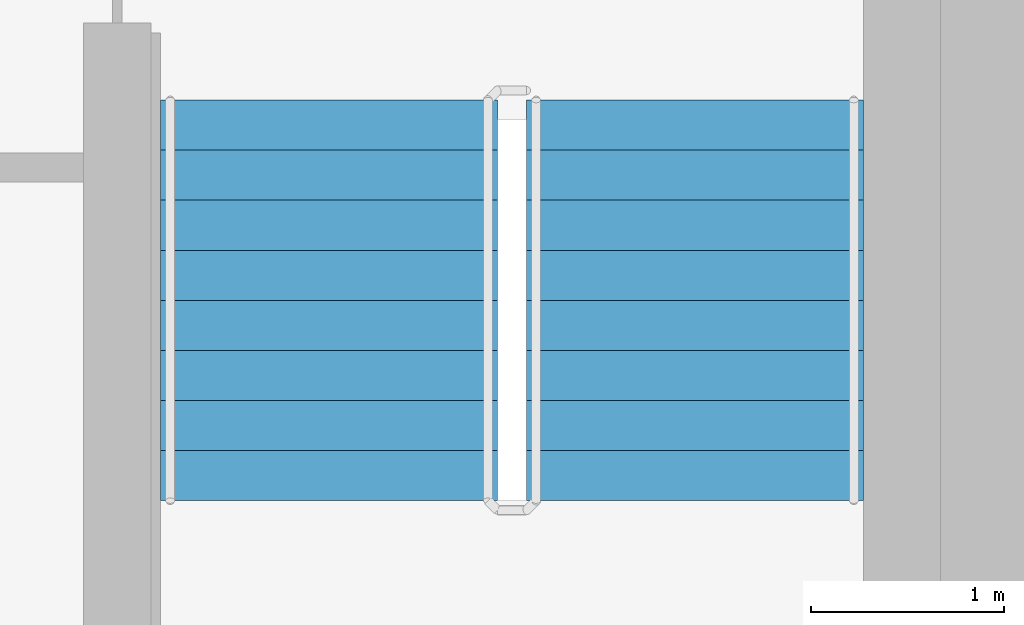
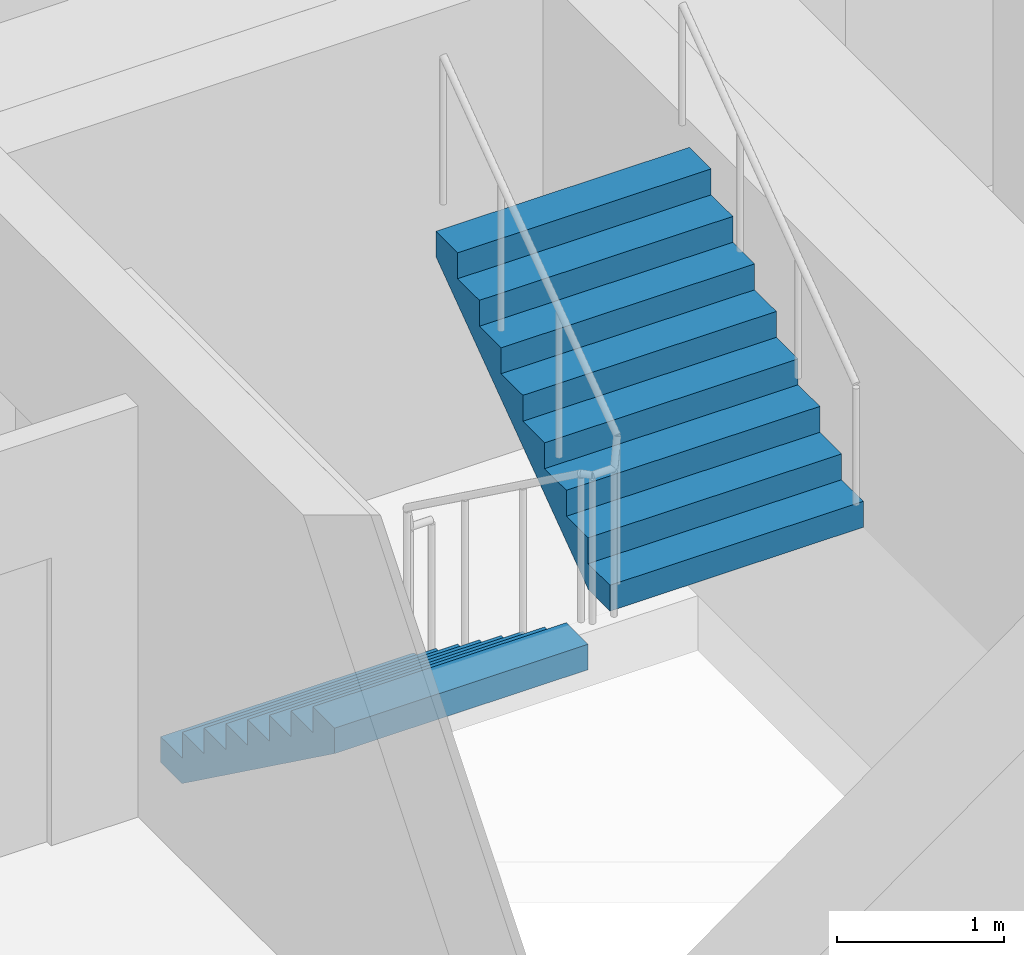
# One storey, part 16 of 20: 2 stair flights, 1 element without a shape of its own.
"""IFC4 building model written with IfcOpenShell, lengths in metres."""

from ifc_helpers import new_model, si_unit, direction, frame, origin, place, context, subcontext, project, spatial, faceted_brep, material, type_object, element, aggregate, save


model = new_model("IFC4")

# Units and contexts
model_context = context("Model", 3, precision=1e-05, world=origin(), true_north=direction((0.0, 1.0)))
body_context = subcontext(model_context, "Body", "Model", "MODEL_VIEW")
ifc_project = project(units=[si_unit("LENGTHUNIT", "METRE"), si_unit("AREAUNIT", "SQUARE_METRE"), si_unit("VOLUMEUNIT", "CUBIC_METRE"), si_unit("PLANEANGLEUNIT", "RADIAN"), si_unit("MASSUNIT", "GRAM", prefix="KILO")], contexts=[model_context])

# Site, building, storey
site_placement = place(None, origin())
site = spatial("IfcSite", under=ifc_project, at=site_placement, CompositionType="ELEMENT")
building_placement = place(site_placement, origin())
building = spatial("IfcBuilding", under=site, at=building_placement, Name="Ipe Terrace Towers", CompositionType="ELEMENT")
storey_placement = place(building_placement, frame((0.0, 0.0, 154.10009765625)))
storey = spatial("IfcBuildingStorey", under=building, at=storey_placement, Name="L42", CompositionType="ELEMENT", Elevation=154.10009765625)

# Stair, stair flights
ifc_material_1 = material(Name="Concrete C30/37", Category="concrete")
stair_type = type_object("IfcStairType", Name="Protected exit stair", PredefinedType="HALF_TURN_STAIR", material=ifc_material_1)
stair_placement = place(storey_placement, origin())
stair = element("IfcStair", 1, at=stair_placement, inside=storey, type_object=stair_type, Name="L42 Exit stair T2-C2", PredefinedType="HALF_TURN_STAIR")
ifc_material_2 = material(Name="Concrete C30/37", Category="concrete")
stair_flight_type = type_object("IfcStairFlightType", Name="Exit stair flight 1750", PredefinedType="STRAIGHT", material=ifc_material_2)
stair_flight_1_placement = place(storey_placement, frame((38.77490234375, -9.699951171875, 0.0), z_axis=(0.0, 0.0, 1.0), x_axis=(0.0, -1.0, 0.0)))
stair_flight_1 = element("IfcStairFlight", 2, at=stair_flight_1_placement, type_object=stair_flight_type, Name="T2-ST2 flight 1", NumberOfRisers=9, NumberOfTreads=8, PredefinedType="STRAIGHT", RiserHeight=0.188888889, TreadLength=0.26, context=body_context, shape_type="Brep", body=[
    faceted_brep([(0.255126953125, -0.875, 0.0), (2.080078125, -0.875, 1.325927734375), (2.080078125, -0.875, 1.51123046875), (1.820068359375, -0.875, 1.51123046875), (1.820068359375, -0.875, 1.322265625), (1.56005859375, -0.875, 1.322265625), (1.56005859375, -0.875, 1.13330078125), (1.300048828125, -0.875, 1.13330078125), (1.300048828125, -0.875, 0.9443359375), (1.0400390625, -0.875, 0.9443359375), (1.0400390625, -0.875, 0.755615234375), (0.780029296875, -0.875, 0.755615234375), (0.780029296875, -0.875, 0.566650390625), (0.52001953125, -0.875, 0.566650390625), (0.52001953125, -0.875, 0.377685546875), (0.260009765625, -0.875, 0.377685546875), (0.260009765625, -0.875, 0.18896484375), (0.0, -0.875, 0.18896484375), (0.0, -0.875, 0.0), (0.0, 0.875, 0.0), (0.0, 0.875, 0.18896484375), (0.260009765625, 0.875, 0.18896484375), (0.260009765625, 0.875, 0.377685546875), (0.52001953125, 0.875, 0.377685546875), (0.52001953125, 0.875, 0.566650390625), (0.780029296875, 0.875, 0.566650390625), (0.780029296875, 0.875, 0.755615234375), (1.0400390625, 0.875, 0.755615234375), (1.0400390625, 0.875, 0.9443359375), (1.300048828125, 0.875, 0.9443359375), (1.300048828125, 0.875, 1.13330078125), (1.56005859375, 0.875, 1.13330078125), (1.56005859375, 0.875, 1.322265625), (1.820068359375, 0.875, 1.322265625), (1.820068359375, 0.875, 1.51123046875), (2.080078125, 0.875, 1.51123046875), (2.080078125, 0.875, 1.325927734375), (0.255126953125, 0.875, 0.0), (0.0, -0.300048828125, 0.18896484375), (0.0, -0.1201171875, 0.18896484375), (0.0, -0.06005859375, 0.18896484375), (0.0, -0.030029296875, 0.18896484375), (0.0, -0.010009765625, 0.18896484375), (0.0, 0.0, 0.18896484375), (0.0, 0.010009765625, 0.18896484375), (0.0, 0.030029296875, 0.18896484375), (0.0, 0.06005859375, 0.18896484375), (0.0, 0.1201171875, 0.18896484375), (0.0, 0.300048828125, 0.18896484375), (0.0, 0.300048828125, 0.0), (0.0, 0.1201171875, 0.0), (0.0, 0.06005859375, 0.0), (0.0, 0.030029296875, 0.0), (0.0, 0.010009765625, 0.0), (0.0, 0.0, 0.0), (0.0, -0.010009765625, 0.0), (0.0, -0.030029296875, 0.0), (0.0, -0.06005859375, 0.0), (0.0, -0.1201171875, 0.0), (0.0, -0.300048828125, 0.0), (0.260009765625, -0.300048828125, 0.18896484375), (0.260009765625, -0.1201171875, 0.18896484375), (0.260009765625, -0.06005859375, 0.18896484375), (0.260009765625, -0.030029296875, 0.18896484375), (0.260009765625, -0.010009765625, 0.18896484375), (0.260009765625, 0.0, 0.18896484375), (0.260009765625, 0.010009765625, 0.18896484375), (0.260009765625, 0.030029296875, 0.18896484375), (0.260009765625, 0.06005859375, 0.18896484375), (0.260009765625, 0.1201171875, 0.18896484375), (0.260009765625, 0.300048828125, 0.18896484375), (0.260009765625, -0.300048828125, 0.377685546875), (0.260009765625, -0.1201171875, 0.377685546875), (0.260009765625, -0.06005859375, 0.377685546875), (0.260009765625, -0.030029296875, 0.377685546875), (0.260009765625, -0.010009765625, 0.377685546875), (0.260009765625, 0.0, 0.377685546875), (0.260009765625, 0.010009765625, 0.377685546875), (0.260009765625, 0.030029296875, 0.377685546875), (0.260009765625, 0.06005859375, 0.377685546875), (0.260009765625, 0.1201171875, 0.377685546875), (0.260009765625, 0.300048828125, 0.377685546875), (0.52001953125, -0.300048828125, 0.377685546875), (0.52001953125, -0.1201171875, 0.377685546875), (0.52001953125, -0.06005859375, 0.377685546875), (0.52001953125, -0.030029296875, 0.377685546875), (0.52001953125, -0.010009765625, 0.377685546875), (0.52001953125, 0.0, 0.377685546875), (0.52001953125, 0.010009765625, 0.377685546875), (0.52001953125, 0.030029296875, 0.377685546875), (0.52001953125, 0.06005859375, 0.377685546875), (0.52001953125, 0.1201171875, 0.377685546875), (0.52001953125, 0.300048828125, 0.377685546875), (0.52001953125, -0.300048828125, 0.566650390625), (0.52001953125, -0.1201171875, 0.566650390625), (0.52001953125, -0.06005859375, 0.566650390625), (0.52001953125, -0.030029296875, 0.566650390625), (0.52001953125, -0.010009765625, 0.566650390625), (0.52001953125, 0.0, 0.566650390625), (0.52001953125, 0.010009765625, 0.566650390625), (0.52001953125, 0.030029296875, 0.566650390625), (0.52001953125, 0.06005859375, 0.566650390625), (0.52001953125, 0.1201171875, 0.566650390625), (0.52001953125, 0.300048828125, 0.566650390625), (0.780029296875, -0.300048828125, 0.566650390625), (0.780029296875, -0.1201171875, 0.566650390625), (0.780029296875, -0.06005859375, 0.566650390625), (0.780029296875, -0.030029296875, 0.566650390625), (0.780029296875, -0.010009765625, 0.566650390625), (0.780029296875, 0.0, 0.566650390625), (0.780029296875, 0.010009765625, 0.566650390625), (0.780029296875, 0.030029296875, 0.566650390625), (0.780029296875, 0.06005859375, 0.566650390625), (0.780029296875, 0.1201171875, 0.566650390625), (0.780029296875, 0.300048828125, 0.566650390625), (0.780029296875, -0.300048828125, 0.755615234375), (0.780029296875, -0.1201171875, 0.755615234375), (0.780029296875, -0.06005859375, 0.755615234375), (0.780029296875, -0.030029296875, 0.755615234375), (0.780029296875, -0.010009765625, 0.755615234375), (0.780029296875, 0.0, 0.755615234375), (0.780029296875, 0.010009765625, 0.755615234375), (0.780029296875, 0.030029296875, 0.755615234375), (0.780029296875, 0.06005859375, 0.755615234375), (0.780029296875, 0.1201171875, 0.755615234375), (0.780029296875, 0.300048828125, 0.755615234375), (1.0400390625, -0.300048828125, 0.755615234375), (1.0400390625, -0.1201171875, 0.755615234375), (1.0400390625, -0.06005859375, 0.755615234375), (1.0400390625, -0.030029296875, 0.755615234375), (1.0400390625, -0.010009765625, 0.755615234375), (1.0400390625, 0.0, 0.755615234375), (1.0400390625, 0.010009765625, 0.755615234375), (1.0400390625, 0.030029296875, 0.755615234375), (1.0400390625, 0.06005859375, 0.755615234375), (1.0400390625, 0.1201171875, 0.755615234375), (1.0400390625, 0.300048828125, 0.755615234375), (1.0400390625, -0.300048828125, 0.9443359375), (1.0400390625, -0.1201171875, 0.9443359375), (1.0400390625, -0.06005859375, 0.9443359375), (1.0400390625, -0.030029296875, 0.9443359375), (1.0400390625, -0.010009765625, 0.9443359375), (1.0400390625, 0.0, 0.9443359375), (1.0400390625, 0.010009765625, 0.9443359375), (1.0400390625, 0.030029296875, 0.9443359375), (1.0400390625, 0.06005859375, 0.9443359375), (1.0400390625, 0.1201171875, 0.9443359375), (1.0400390625, 0.300048828125, 0.9443359375), (1.300048828125, -0.300048828125, 0.9443359375), (1.300048828125, -0.1201171875, 0.9443359375), (1.300048828125, -0.06005859375, 0.9443359375), (1.300048828125, -0.030029296875, 0.9443359375), (1.300048828125, -0.010009765625, 0.9443359375), (1.300048828125, 0.0, 0.9443359375), (1.300048828125, 0.010009765625, 0.9443359375), (1.300048828125, 0.030029296875, 0.9443359375), (1.300048828125, 0.06005859375, 0.9443359375), (1.300048828125, 0.1201171875, 0.9443359375), (1.300048828125, 0.300048828125, 0.9443359375), (1.300048828125, -0.300048828125, 1.13330078125), (1.300048828125, -0.1201171875, 1.13330078125), (1.300048828125, -0.06005859375, 1.13330078125), (1.300048828125, -0.030029296875, 1.13330078125), (1.300048828125, -0.010009765625, 1.13330078125), (1.300048828125, 0.0, 1.13330078125), (1.300048828125, 0.010009765625, 1.13330078125), (1.300048828125, 0.030029296875, 1.13330078125), (1.300048828125, 0.06005859375, 1.13330078125), (1.300048828125, 0.1201171875, 1.13330078125), (1.300048828125, 0.300048828125, 1.13330078125), (1.56005859375, -0.300048828125, 1.13330078125), (1.56005859375, -0.1201171875, 1.13330078125), (1.56005859375, -0.06005859375, 1.13330078125), (1.56005859375, -0.030029296875, 1.13330078125), (1.56005859375, -0.010009765625, 1.13330078125), (1.56005859375, 0.0, 1.13330078125), (1.56005859375, 0.010009765625, 1.13330078125), (1.56005859375, 0.030029296875, 1.13330078125), (1.56005859375, 0.06005859375, 1.13330078125), (1.56005859375, 0.1201171875, 1.13330078125), (1.56005859375, 0.300048828125, 1.13330078125), (1.56005859375, -0.300048828125, 1.322265625), (1.56005859375, -0.1201171875, 1.322265625), (1.56005859375, -0.06005859375, 1.322265625), (1.56005859375, -0.030029296875, 1.322265625), (1.56005859375, -0.010009765625, 1.322265625), (1.56005859375, 0.0, 1.322265625), (1.56005859375, 0.010009765625, 1.322265625), (1.56005859375, 0.030029296875, 1.322265625), (1.56005859375, 0.06005859375, 1.322265625), (1.56005859375, 0.1201171875, 1.322265625), (1.56005859375, 0.300048828125, 1.322265625), (1.820068359375, -0.300048828125, 1.322265625), (1.820068359375, -0.1201171875, 1.322265625), (1.820068359375, -0.06005859375, 1.322265625), (1.820068359375, -0.030029296875, 1.322265625), (1.820068359375, -0.010009765625, 1.322265625), (1.820068359375, 0.0, 1.322265625), (1.820068359375, 0.010009765625, 1.322265625), (1.820068359375, 0.030029296875, 1.322265625), (1.820068359375, 0.06005859375, 1.322265625), (1.820068359375, 0.1201171875, 1.322265625), (1.820068359375, 0.300048828125, 1.322265625), (1.820068359375, -0.300048828125, 1.51123046875), (1.820068359375, -0.1201171875, 1.51123046875), (1.820068359375, -0.06005859375, 1.51123046875), (1.820068359375, -0.030029296875, 1.51123046875), (1.820068359375, -0.010009765625, 1.51123046875), (1.820068359375, 0.0, 1.51123046875), (1.820068359375, 0.010009765625, 1.51123046875), (1.820068359375, 0.030029296875, 1.51123046875), (1.820068359375, 0.06005859375, 1.51123046875), (1.820068359375, 0.1201171875, 1.51123046875), (1.820068359375, 0.300048828125, 1.51123046875), (2.080078125, -0.300048828125, 1.51123046875), (2.080078125, -0.1201171875, 1.51123046875), (2.080078125, -0.06005859375, 1.51123046875), (2.080078125, -0.030029296875, 1.51123046875), (2.080078125, -0.010009765625, 1.51123046875), (2.080078125, 0.0, 1.51123046875), (2.080078125, 0.010009765625, 1.51123046875), (2.080078125, 0.030029296875, 1.51123046875), (2.080078125, 0.06005859375, 1.51123046875), (2.080078125, 0.1201171875, 1.51123046875), (2.080078125, 0.300048828125, 1.51123046875), (2.080078125, -0.300048828125, 1.325927734375), (2.080078125, -0.1201171875, 1.325927734375), (2.080078125, -0.06005859375, 1.325927734375), (2.080078125, -0.030029296875, 1.325927734375), (2.080078125, -0.010009765625, 1.325927734375), (2.080078125, 0.0, 1.325927734375), (2.080078125, 0.010009765625, 1.325927734375), (2.080078125, 0.030029296875, 1.325927734375), (2.080078125, 0.06005859375, 1.325927734375), (2.080078125, 0.1201171875, 1.325927734375), (2.080078125, 0.300048828125, 1.325927734375), (0.255126953125, -0.300048828125, 0.0), (0.255126953125, -0.1201171875, 0.0), (0.255126953125, -0.06005859375, 0.0), (0.255126953125, -0.030029296875, 0.0), (0.255126953125, -0.010009765625, 0.0), (0.255126953125, 0.0, 0.0), (0.255126953125, 0.010009765625, 0.0), (0.255126953125, 0.030029296875, 0.0), (0.255126953125, 0.06005859375, 0.0), (0.255126953125, 0.1201171875, 0.0), (0.255126953125, 0.300048828125, 0.0)], [[[0, 1, 2, 3, 4, 5, 6, 7, 8, 9, 10, 11, 12, 13, 14, 15, 16, 17, 18]], [[19, 20, 21, 22, 23, 24, 25, 26, 27, 28, 29, 30, 31, 32, 33, 34, 35, 36, 37]], [[17, 38, 39, 40, 41, 42, 43, 44, 45, 46, 47, 48, 20, 19, 49, 50, 51, 52, 53, 54, 55, 56, 57, 58, 59, 18]], [[16, 60, 61, 62, 63, 64, 65, 66, 67, 68, 69, 70, 21, 20, 48, 47, 46, 45, 44, 43, 42, 41, 40, 39, 38, 17]], [[15, 71, 72, 73, 74, 75, 76, 77, 78, 79, 80, 81, 22, 21, 70, 69, 68, 67, 66, 65, 64, 63, 62, 61, 60, 16]], [[14, 82, 83, 84, 85, 86, 87, 88, 89, 90, 91, 92, 23, 22, 81, 80, 79, 78, 77, 76, 75, 74, 73, 72, 71, 15]], [[13, 93, 94, 95, 96, 97, 98, 99, 100, 101, 102, 103, 24, 23, 92, 91, 90, 89, 88, 87, 86, 85, 84, 83, 82, 14]], [[12, 104, 105, 106, 107, 108, 109, 110, 111, 112, 113, 114, 25, 24, 103, 102, 101, 100, 99, 98, 97, 96, 95, 94, 93, 13]], [[11, 115, 116, 117, 118, 119, 120, 121, 122, 123, 124, 125, 26, 25, 114, 113, 112, 111, 110, 109, 108, 107, 106, 105, 104, 12]], [[10, 126, 127, 128, 129, 130, 131, 132, 133, 134, 135, 136, 27, 26, 125, 124, 123, 122, 121, 120, 119, 118, 117, 116, 115, 11]], [[9, 137, 138, 139, 140, 141, 142, 143, 144, 145, 146, 147, 28, 27, 136, 135, 134, 133, 132, 131, 130, 129, 128, 127, 126, 10]], [[8, 148, 149, 150, 151, 152, 153, 154, 155, 156, 157, 158, 29, 28, 147, 146, 145, 144, 143, 142, 141, 140, 139, 138, 137, 9]], [[7, 159, 160, 161, 162, 163, 164, 165, 166, 167, 168, 169, 30, 29, 158, 157, 156, 155, 154, 153, 152, 151, 150, 149, 148, 8]], [[6, 170, 171, 172, 173, 174, 175, 176, 177, 178, 179, 180, 31, 30, 169, 168, 167, 166, 165, 164, 163, 162, 161, 160, 159, 7]], [[5, 181, 182, 183, 184, 185, 186, 187, 188, 189, 190, 191, 32, 31, 180, 179, 178, 177, 176, 175, 174, 173, 172, 171, 170, 6]], [[4, 192, 193, 194, 195, 196, 197, 198, 199, 200, 201, 202, 33, 32, 191, 190, 189, 188, 187, 186, 185, 184, 183, 182, 181, 5]], [[3, 203, 204, 205, 206, 207, 208, 209, 210, 211, 212, 213, 34, 33, 202, 201, 200, 199, 198, 197, 196, 195, 194, 193, 192, 4]], [[2, 214, 215, 216, 217, 218, 219, 220, 221, 222, 223, 224, 35, 34, 213, 212, 211, 210, 209, 208, 207, 206, 205, 204, 203, 3]], [[1, 225, 226, 227, 228, 229, 230, 231, 232, 233, 234, 235, 36, 35, 224, 223, 222, 221, 220, 219, 218, 217, 216, 215, 214, 2]], [[0, 236, 237, 238, 239, 240, 241, 242, 243, 244, 245, 246, 37, 36, 235, 234, 233, 232, 231, 230, 229, 228, 227, 226, 225, 1]], [[18, 59, 58, 57, 56, 55, 54, 53, 52, 51, 50, 49, 19, 37, 246, 245, 244, 243, 242, 241, 240, 239, 238, 237, 236, 0]]]),
])
stair_flight_2_placement = place(storey_placement, frame((40.675048828125, -11.780029296875, 1.699951171875), z_axis=(0.0, 0.0, 1.0), x_axis=(0.0, 1.0, 0.0)))
stair_flight_2 = element("IfcStairFlight", 3, at=stair_flight_2_placement, type_object=stair_flight_type, Name="T2-ST2 flight 2", NumberOfRisers=9, NumberOfTreads=8, PredefinedType="STRAIGHT", RiserHeight=0.188888889, TreadLength=0.26, context=body_context, shape_type="Brep", body=[
    faceted_brep([(0.255126953125, -0.875, 0.0), (2.080078125, -0.875, 1.325927734375), (2.080078125, -0.875, 1.51123046875), (1.820068359375, -0.875, 1.51123046875), (1.820068359375, -0.875, 1.322265625), (1.56005859375, -0.875, 1.322265625), (1.56005859375, -0.875, 1.13330078125), (1.300048828125, -0.875, 1.13330078125), (1.300048828125, -0.875, 0.9443359375), (1.0400390625, -0.875, 0.9443359375), (1.0400390625, -0.875, 0.755615234375), (0.780029296875, -0.875, 0.755615234375), (0.780029296875, -0.875, 0.566650390625), (0.52001953125, -0.875, 0.566650390625), (0.52001953125, -0.875, 0.377685546875), (0.260009765625, -0.875, 0.377685546875), (0.260009765625, -0.875, 0.18896484375), (0.0, -0.875, 0.18896484375), (0.0, -0.875, 0.0), (0.0, 0.875, 0.0), (0.0, 0.875, 0.18896484375), (0.260009765625, 0.875, 0.18896484375), (0.260009765625, 0.875, 0.377685546875), (0.52001953125, 0.875, 0.377685546875), (0.52001953125, 0.875, 0.566650390625), (0.780029296875, 0.875, 0.566650390625), (0.780029296875, 0.875, 0.755615234375), (1.0400390625, 0.875, 0.755615234375), (1.0400390625, 0.875, 0.9443359375), (1.300048828125, 0.875, 0.9443359375), (1.300048828125, 0.875, 1.13330078125), (1.56005859375, 0.875, 1.13330078125), (1.56005859375, 0.875, 1.322265625), (1.820068359375, 0.875, 1.322265625), (1.820068359375, 0.875, 1.51123046875), (2.080078125, 0.875, 1.51123046875), (2.080078125, 0.875, 1.325927734375), (0.255126953125, 0.875, 0.0), (0.0, -0.300048828125, 0.18896484375), (0.0, -0.1201171875, 0.18896484375), (0.0, -0.06005859375, 0.18896484375), (0.0, -0.030029296875, 0.18896484375), (0.0, -0.010009765625, 0.18896484375), (0.0, 0.0, 0.18896484375), (0.0, 0.010009765625, 0.18896484375), (0.0, 0.030029296875, 0.18896484375), (0.0, 0.06005859375, 0.18896484375), (0.0, 0.1201171875, 0.18896484375), (0.0, 0.300048828125, 0.18896484375), (0.0, 0.300048828125, 0.0), (0.0, 0.1201171875, 0.0), (0.0, 0.06005859375, 0.0), (0.0, 0.030029296875, 0.0), (0.0, 0.010009765625, 0.0), (0.0, 0.0, 0.0), (0.0, -0.010009765625, 0.0), (0.0, -0.030029296875, 0.0), (0.0, -0.06005859375, 0.0), (0.0, -0.1201171875, 0.0), (0.0, -0.300048828125, 0.0), (0.260009765625, -0.300048828125, 0.18896484375), (0.260009765625, -0.1201171875, 0.18896484375), (0.260009765625, -0.06005859375, 0.18896484375), (0.260009765625, -0.030029296875, 0.18896484375), (0.260009765625, -0.010009765625, 0.18896484375), (0.260009765625, 0.0, 0.18896484375), (0.260009765625, 0.010009765625, 0.18896484375), (0.260009765625, 0.030029296875, 0.18896484375), (0.260009765625, 0.06005859375, 0.18896484375), (0.260009765625, 0.1201171875, 0.18896484375), (0.260009765625, 0.300048828125, 0.18896484375), (0.260009765625, -0.300048828125, 0.377685546875), (0.260009765625, -0.1201171875, 0.377685546875), (0.260009765625, -0.06005859375, 0.377685546875), (0.260009765625, -0.030029296875, 0.377685546875), (0.260009765625, -0.010009765625, 0.377685546875), (0.260009765625, 0.0, 0.377685546875), (0.260009765625, 0.010009765625, 0.377685546875), (0.260009765625, 0.030029296875, 0.377685546875), (0.260009765625, 0.06005859375, 0.377685546875), (0.260009765625, 0.1201171875, 0.377685546875), (0.260009765625, 0.300048828125, 0.377685546875), (0.52001953125, -0.300048828125, 0.377685546875), (0.52001953125, -0.1201171875, 0.377685546875), (0.52001953125, -0.06005859375, 0.377685546875), (0.52001953125, -0.030029296875, 0.377685546875), (0.52001953125, -0.010009765625, 0.377685546875), (0.52001953125, 0.0, 0.377685546875), (0.52001953125, 0.010009765625, 0.377685546875), (0.52001953125, 0.030029296875, 0.377685546875), (0.52001953125, 0.06005859375, 0.377685546875), (0.52001953125, 0.1201171875, 0.377685546875), (0.52001953125, 0.300048828125, 0.377685546875), (0.52001953125, -0.300048828125, 0.566650390625), (0.52001953125, -0.1201171875, 0.566650390625), (0.52001953125, -0.06005859375, 0.566650390625), (0.52001953125, -0.030029296875, 0.566650390625), (0.52001953125, -0.010009765625, 0.566650390625), (0.52001953125, 0.0, 0.566650390625), (0.52001953125, 0.010009765625, 0.566650390625), (0.52001953125, 0.030029296875, 0.566650390625), (0.52001953125, 0.06005859375, 0.566650390625), (0.52001953125, 0.1201171875, 0.566650390625), (0.52001953125, 0.300048828125, 0.566650390625), (0.780029296875, -0.300048828125, 0.566650390625), (0.780029296875, -0.1201171875, 0.566650390625), (0.780029296875, -0.06005859375, 0.566650390625), (0.780029296875, -0.030029296875, 0.566650390625), (0.780029296875, -0.010009765625, 0.566650390625), (0.780029296875, 0.0, 0.566650390625), (0.780029296875, 0.010009765625, 0.566650390625), (0.780029296875, 0.030029296875, 0.566650390625), (0.780029296875, 0.06005859375, 0.566650390625), (0.780029296875, 0.1201171875, 0.566650390625), (0.780029296875, 0.300048828125, 0.566650390625), (0.780029296875, -0.300048828125, 0.755615234375), (0.780029296875, -0.1201171875, 0.755615234375), (0.780029296875, -0.06005859375, 0.755615234375), (0.780029296875, -0.030029296875, 0.755615234375), (0.780029296875, -0.010009765625, 0.755615234375), (0.780029296875, 0.0, 0.755615234375), (0.780029296875, 0.010009765625, 0.755615234375), (0.780029296875, 0.030029296875, 0.755615234375), (0.780029296875, 0.06005859375, 0.755615234375), (0.780029296875, 0.1201171875, 0.755615234375), (0.780029296875, 0.300048828125, 0.755615234375), (1.0400390625, -0.300048828125, 0.755615234375), (1.0400390625, -0.1201171875, 0.755615234375), (1.0400390625, -0.06005859375, 0.755615234375), (1.0400390625, -0.030029296875, 0.755615234375), (1.0400390625, -0.010009765625, 0.755615234375), (1.0400390625, 0.0, 0.755615234375), (1.0400390625, 0.010009765625, 0.755615234375), (1.0400390625, 0.030029296875, 0.755615234375), (1.0400390625, 0.06005859375, 0.755615234375), (1.0400390625, 0.1201171875, 0.755615234375), (1.0400390625, 0.300048828125, 0.755615234375), (1.0400390625, -0.300048828125, 0.9443359375), (1.0400390625, -0.1201171875, 0.9443359375), (1.0400390625, -0.06005859375, 0.9443359375), (1.0400390625, -0.030029296875, 0.9443359375), (1.0400390625, -0.010009765625, 0.9443359375), (1.0400390625, 0.0, 0.9443359375), (1.0400390625, 0.010009765625, 0.9443359375), (1.0400390625, 0.030029296875, 0.9443359375), (1.0400390625, 0.06005859375, 0.9443359375), (1.0400390625, 0.1201171875, 0.9443359375), (1.0400390625, 0.300048828125, 0.9443359375), (1.300048828125, -0.300048828125, 0.9443359375), (1.300048828125, -0.1201171875, 0.9443359375), (1.300048828125, -0.06005859375, 0.9443359375), (1.300048828125, -0.030029296875, 0.9443359375), (1.300048828125, -0.010009765625, 0.9443359375), (1.300048828125, 0.0, 0.9443359375), (1.300048828125, 0.010009765625, 0.9443359375), (1.300048828125, 0.030029296875, 0.9443359375), (1.300048828125, 0.06005859375, 0.9443359375), (1.300048828125, 0.1201171875, 0.9443359375), (1.300048828125, 0.300048828125, 0.9443359375), (1.300048828125, -0.300048828125, 1.13330078125), (1.300048828125, -0.1201171875, 1.13330078125), (1.300048828125, -0.06005859375, 1.13330078125), (1.300048828125, -0.030029296875, 1.13330078125), (1.300048828125, -0.010009765625, 1.13330078125), (1.300048828125, 0.0, 1.13330078125), (1.300048828125, 0.010009765625, 1.13330078125), (1.300048828125, 0.030029296875, 1.13330078125), (1.300048828125, 0.06005859375, 1.13330078125), (1.300048828125, 0.1201171875, 1.13330078125), (1.300048828125, 0.300048828125, 1.13330078125), (1.56005859375, -0.300048828125, 1.13330078125), (1.56005859375, -0.1201171875, 1.13330078125), (1.56005859375, -0.06005859375, 1.13330078125), (1.56005859375, -0.030029296875, 1.13330078125), (1.56005859375, -0.010009765625, 1.13330078125), (1.56005859375, 0.0, 1.13330078125), (1.56005859375, 0.010009765625, 1.13330078125), (1.56005859375, 0.030029296875, 1.13330078125), (1.56005859375, 0.06005859375, 1.13330078125), (1.56005859375, 0.1201171875, 1.13330078125), (1.56005859375, 0.300048828125, 1.13330078125), (1.56005859375, -0.300048828125, 1.322265625), (1.56005859375, -0.1201171875, 1.322265625), (1.56005859375, -0.06005859375, 1.322265625), (1.56005859375, -0.030029296875, 1.322265625), (1.56005859375, -0.010009765625, 1.322265625), (1.56005859375, 0.0, 1.322265625), (1.56005859375, 0.010009765625, 1.322265625), (1.56005859375, 0.030029296875, 1.322265625), (1.56005859375, 0.06005859375, 1.322265625), (1.56005859375, 0.1201171875, 1.322265625), (1.56005859375, 0.300048828125, 1.322265625), (1.820068359375, -0.300048828125, 1.322265625), (1.820068359375, -0.1201171875, 1.322265625), (1.820068359375, -0.06005859375, 1.322265625), (1.820068359375, -0.030029296875, 1.322265625), (1.820068359375, -0.010009765625, 1.322265625), (1.820068359375, 0.0, 1.322265625), (1.820068359375, 0.010009765625, 1.322265625), (1.820068359375, 0.030029296875, 1.322265625), (1.820068359375, 0.06005859375, 1.322265625), (1.820068359375, 0.1201171875, 1.322265625), (1.820068359375, 0.300048828125, 1.322265625), (1.820068359375, -0.300048828125, 1.51123046875), (1.820068359375, -0.1201171875, 1.51123046875), (1.820068359375, -0.06005859375, 1.51123046875), (1.820068359375, -0.030029296875, 1.51123046875), (1.820068359375, -0.010009765625, 1.51123046875), (1.820068359375, 0.0, 1.51123046875), (1.820068359375, 0.010009765625, 1.51123046875), (1.820068359375, 0.030029296875, 1.51123046875), (1.820068359375, 0.06005859375, 1.51123046875), (1.820068359375, 0.1201171875, 1.51123046875), (1.820068359375, 0.300048828125, 1.51123046875), (2.080078125, -0.300048828125, 1.51123046875), (2.080078125, -0.1201171875, 1.51123046875), (2.080078125, -0.06005859375, 1.51123046875), (2.080078125, -0.030029296875, 1.51123046875), (2.080078125, -0.010009765625, 1.51123046875), (2.080078125, 0.0, 1.51123046875), (2.080078125, 0.010009765625, 1.51123046875), (2.080078125, 0.030029296875, 1.51123046875), (2.080078125, 0.06005859375, 1.51123046875), (2.080078125, 0.1201171875, 1.51123046875), (2.080078125, 0.300048828125, 1.51123046875), (2.080078125, -0.300048828125, 1.325927734375), (2.080078125, -0.1201171875, 1.325927734375), (2.080078125, -0.06005859375, 1.325927734375), (2.080078125, -0.030029296875, 1.325927734375), (2.080078125, -0.010009765625, 1.325927734375), (2.080078125, 0.0, 1.325927734375), (2.080078125, 0.010009765625, 1.325927734375), (2.080078125, 0.030029296875, 1.325927734375), (2.080078125, 0.06005859375, 1.325927734375), (2.080078125, 0.1201171875, 1.325927734375), (2.080078125, 0.300048828125, 1.325927734375), (0.255126953125, -0.300048828125, 0.0), (0.255126953125, -0.1201171875, 0.0), (0.255126953125, -0.06005859375, 0.0), (0.255126953125, -0.030029296875, 0.0), (0.255126953125, -0.010009765625, 0.0), (0.255126953125, 0.0, 0.0), (0.255126953125, 0.010009765625, 0.0), (0.255126953125, 0.030029296875, 0.0), (0.255126953125, 0.06005859375, 0.0), (0.255126953125, 0.1201171875, 0.0), (0.255126953125, 0.300048828125, 0.0)], [[[0, 1, 2, 3, 4, 5, 6, 7, 8, 9, 10, 11, 12, 13, 14, 15, 16, 17, 18]], [[19, 20, 21, 22, 23, 24, 25, 26, 27, 28, 29, 30, 31, 32, 33, 34, 35, 36, 37]], [[17, 38, 39, 40, 41, 42, 43, 44, 45, 46, 47, 48, 20, 19, 49, 50, 51, 52, 53, 54, 55, 56, 57, 58, 59, 18]], [[16, 60, 61, 62, 63, 64, 65, 66, 67, 68, 69, 70, 21, 20, 48, 47, 46, 45, 44, 43, 42, 41, 40, 39, 38, 17]], [[15, 71, 72, 73, 74, 75, 76, 77, 78, 79, 80, 81, 22, 21, 70, 69, 68, 67, 66, 65, 64, 63, 62, 61, 60, 16]], [[14, 82, 83, 84, 85, 86, 87, 88, 89, 90, 91, 92, 23, 22, 81, 80, 79, 78, 77, 76, 75, 74, 73, 72, 71, 15]], [[13, 93, 94, 95, 96, 97, 98, 99, 100, 101, 102, 103, 24, 23, 92, 91, 90, 89, 88, 87, 86, 85, 84, 83, 82, 14]], [[12, 104, 105, 106, 107, 108, 109, 110, 111, 112, 113, 114, 25, 24, 103, 102, 101, 100, 99, 98, 97, 96, 95, 94, 93, 13]], [[11, 115, 116, 117, 118, 119, 120, 121, 122, 123, 124, 125, 26, 25, 114, 113, 112, 111, 110, 109, 108, 107, 106, 105, 104, 12]], [[10, 126, 127, 128, 129, 130, 131, 132, 133, 134, 135, 136, 27, 26, 125, 124, 123, 122, 121, 120, 119, 118, 117, 116, 115, 11]], [[9, 137, 138, 139, 140, 141, 142, 143, 144, 145, 146, 147, 28, 27, 136, 135, 134, 133, 132, 131, 130, 129, 128, 127, 126, 10]], [[8, 148, 149, 150, 151, 152, 153, 154, 155, 156, 157, 158, 29, 28, 147, 146, 145, 144, 143, 142, 141, 140, 139, 138, 137, 9]], [[7, 159, 160, 161, 162, 163, 164, 165, 166, 167, 168, 169, 30, 29, 158, 157, 156, 155, 154, 153, 152, 151, 150, 149, 148, 8]], [[6, 170, 171, 172, 173, 174, 175, 176, 177, 178, 179, 180, 31, 30, 169, 168, 167, 166, 165, 164, 163, 162, 161, 160, 159, 7]], [[5, 181, 182, 183, 184, 185, 186, 187, 188, 189, 190, 191, 32, 31, 180, 179, 178, 177, 176, 175, 174, 173, 172, 171, 170, 6]], [[4, 192, 193, 194, 195, 196, 197, 198, 199, 200, 201, 202, 33, 32, 191, 190, 189, 188, 187, 186, 185, 184, 183, 182, 181, 5]], [[3, 203, 204, 205, 206, 207, 208, 209, 210, 211, 212, 213, 34, 33, 202, 201, 200, 199, 198, 197, 196, 195, 194, 193, 192, 4]], [[2, 214, 215, 216, 217, 218, 219, 220, 221, 222, 223, 224, 35, 34, 213, 212, 211, 210, 209, 208, 207, 206, 205, 204, 203, 3]], [[1, 225, 226, 227, 228, 229, 230, 231, 232, 233, 234, 235, 36, 35, 224, 223, 222, 221, 220, 219, 218, 217, 216, 215, 214, 2]], [[0, 236, 237, 238, 239, 240, 241, 242, 243, 244, 245, 246, 37, 36, 235, 234, 233, 232, 231, 230, 229, 228, 227, 226, 225, 1]], [[18, 59, 58, 57, 56, 55, 54, 53, 52, 51, 50, 49, 19, 37, 246, 245, 244, 243, 242, 241, 240, 239, 238, 237, 236, 0]]]),
])
aggregate(stair, [stair_flight_1, stair_flight_2])

save(model, "model.ifc")
